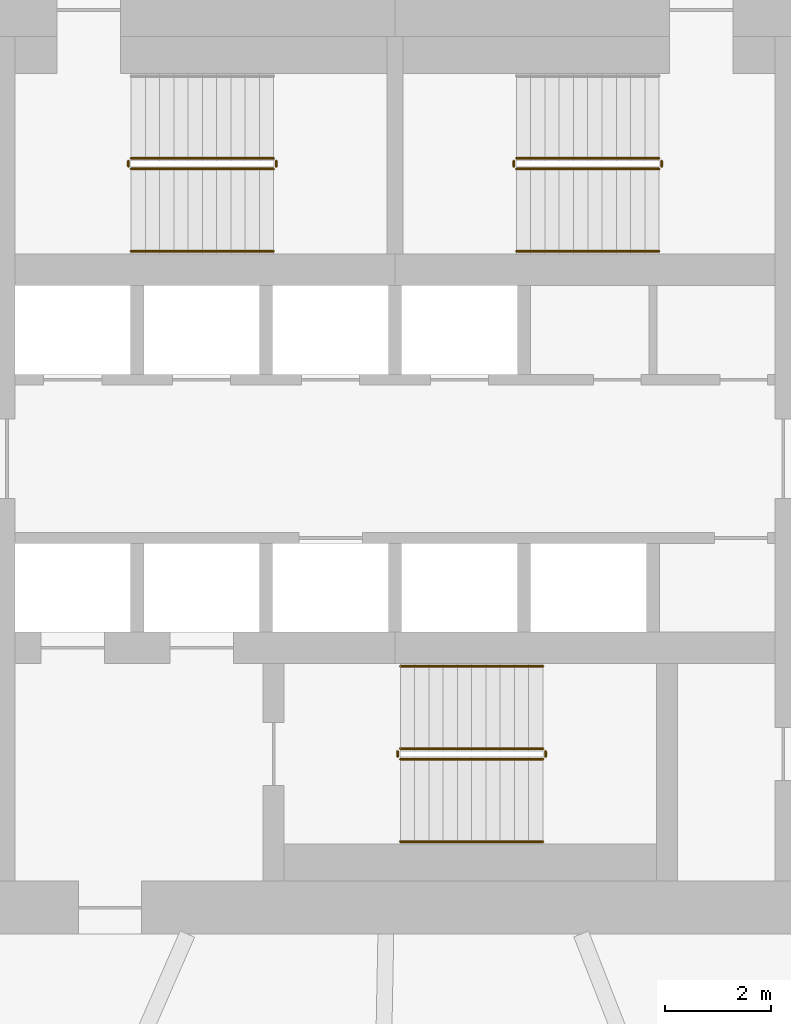
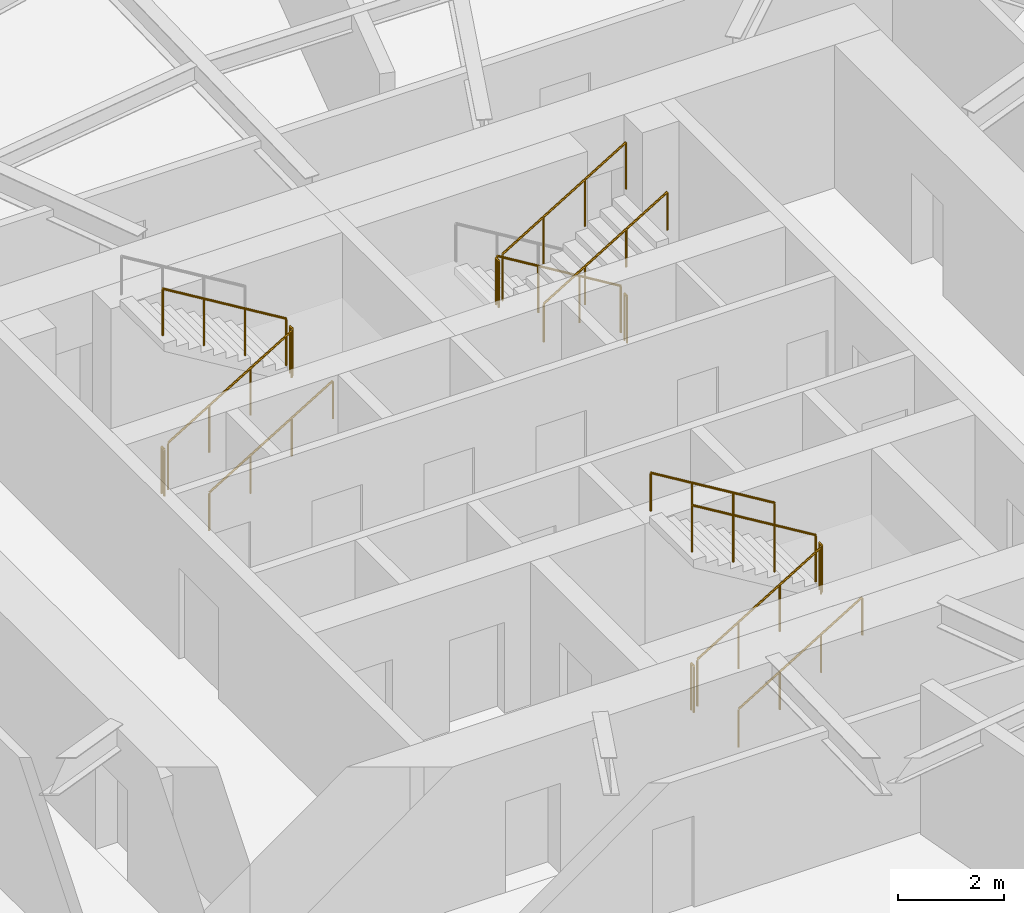
# One storey, part 14 of 16: 16 railings.
"""IFC4 building model written with IfcOpenShell, lengths in metres."""

import ifcopenshell
import ifcopenshell.guid

model = None  # the IFC model being written
_history = None  # IfcOwnerHistory: only IFC2X3 demands one
_inside = {}  # id of a spatial element -> (the spatial element, [elements in it])
_under = {}  # id of a project, library or spatial element -> (it, [spatial elements below it])
_declared = {}  # id of a project -> (the project, [libraries it declares])
_typed = {}  # id of a type object -> (the type object, [elements of that type])
_made_of = {}  # id of a material, layer set ... -> (it, [elements and type objects made of it])


def new_model(schema):
    """Start an empty IFC model of exactly this schema.

    Asked for "IFC4X3", IfcOpenShell would pick the latest addendum, in which some entities
    have other attributes; the version numbers below select the first issue.
    IFC2X3 requires an IfcOwnerHistory on every rooted entity: one is made here for all.
    """
    global model, _history
    if schema == "IFC4X3":
        model = ifcopenshell.file(schema_version=(4, 3, 0, 0))
    else:
        model = ifcopenshell.file(schema=schema)
    _inside.clear()
    _under.clear()
    _declared.clear()
    _typed.clear()
    _made_of.clear()
    _history = None
    if model.schema == "IFC2X3":
        org = make("IfcOrganization", Name="unknown")
        user = make(
            "IfcPersonAndOrganization",
            ThePerson=make("IfcPerson", FamilyName="unknown"),
            TheOrganization=org,
        )
        app = make(
            "IfcApplication",
            ApplicationDeveloper=org,
            Version="unknown",
            ApplicationFullName="unknown",
            ApplicationIdentifier="unknown",
        )
        _history = make(
            "IfcOwnerHistory",
            OwningUser=user,
            OwningApplication=app,
            ChangeAction="ADDED",
            CreationDate=0,
        )
    return model


def make(cls, **values):
    """One entity of the class cls with the attributes given. An attribute that is None is left unset."""
    return model.create_entity(
        cls, **{name: value for name, value in values.items() if value is not None}
    )


def rooted(cls, **values):
    """An entity with a GlobalId (a new one), such as an element, a storey or a relation."""
    return make(cls, GlobalId=ifcopenshell.guid.new(), OwnerHistory=_history, **values)


def si_unit(unit_type, name, prefix=None):
    """IfcSIUnit, for example si_unit("LENGTHUNIT", "METRE", prefix="MILLI")."""
    return make("IfcSIUnit", UnitType=unit_type, Prefix=prefix, Name=name)


def assignment(units):
    """IfcUnitAssignment: the units of a project."""
    return None if units is None else make("IfcUnitAssignment", Units=units)


def point(xyz):
    """IfcCartesianPoint."""
    return None if xyz is None else make("IfcCartesianPoint", Coordinates=xyz)


def direction(xyz):
    """IfcDirection."""
    return None if xyz is None else make("IfcDirection", DirectionRatios=xyz)


def frame(location, z_axis=None, x_axis=None):
    """IfcAxis2Placement3D, a coordinate frame: its origin and axes. An axis left out is left unset."""
    return make(
        "IfcAxis2Placement3D",
        Location=point(location),
        Axis=direction(z_axis),
        RefDirection=direction(x_axis),
    )


def frame_2d(location, x_axis=None):
    """IfcAxis2Placement2D, a coordinate frame in the plane: its origin and x axis."""
    return make(
        "IfcAxis2Placement2D", Location=point(location), RefDirection=direction(x_axis)
    )


def origin():
    """The frame at (0, 0, 0) with its axes left unset."""
    return frame((0.0, 0.0, 0.0))


def origin_2d():
    """The frame at (0, 0) in the plane with its x axis left unset."""
    return frame_2d((0.0, 0.0))


def place(relative_to, where):
    """IfcLocalPlacement: puts the frame where relative to a parent placement (None: the world)."""
    return make(
        "IfcLocalPlacement", PlacementRelTo=relative_to, RelativePlacement=where
    )


def context(
    kind, dimensions, precision=None, world=None, true_north=None, identifier=None
):
    """IfcGeometricRepresentationContext, for example the 3D "Model" context."""
    return make(
        "IfcGeometricRepresentationContext",
        ContextIdentifier=identifier,
        ContextType=kind,
        CoordinateSpaceDimension=dimensions,
        Precision=precision,
        WorldCoordinateSystem=world,
        TrueNorth=true_north,
    )


def subcontext(parent, identifier, kind, view, scale=None):
    """IfcGeometricRepresentationSubContext, for example "Body" below "Model"."""
    return make(
        "IfcGeometricRepresentationSubContext",
        ContextIdentifier=identifier,
        ContextType=kind,
        ParentContext=parent,
        TargetScale=scale,
        TargetView=view,
    )


def project(units=None, contexts=None):
    """IfcProject with its units and contexts."""
    return rooted(
        "IfcProject",
        Name="project",
        RepresentationContexts=contexts,
        UnitsInContext=assignment(units),
    )


def spatial(cls, under=None, at=None, **own):
    """A site, building, storey or space (cls), placed at a placement, below another one or the project."""
    s = rooted(cls, ObjectPlacement=at, **own)
    if under is not None:
        _under.setdefault(under.id(), (under, []))[1].append(s)
    return s


def profile(cls, at=None, kind="AREA", **sizes):
    """A parametric profile (cls). Its sizes go by their IFC names, for example OverallWidth=200.0."""
    return make(cls, ProfileType=kind, Position=at, **sizes)


def circle(**sizes):
    """IfcCircleProfileDef."""
    return profile("IfcCircleProfileDef", **sizes)


def extrude(swept, where, along, depth):
    """IfcExtrudedAreaSolid: the profile swept, set in the frame where, extruded along a direction by depth."""
    return make(
        "IfcExtrudedAreaSolid",
        SweptArea=swept,
        Position=where,
        ExtrudedDirection=direction(along),
        Depth=depth,
    )


def shape(context_of_items, identifier, shape_type, items):
    """IfcShapeRepresentation: the items that make up one representation, for example the "Body"."""
    return make(
        "IfcShapeRepresentation",
        ContextOfItems=context_of_items,
        RepresentationIdentifier=identifier,
        RepresentationType=shape_type,
        Items=items,
    )


def material(Name=None, Category=None):
    """IfcMaterial."""
    return make("IfcMaterial", Name=Name, Category=Category)


def made_of(thing, what):
    """Note that an element or type object is made of a material, layer set ...; save() writes the relation."""
    if what is not None:
        _made_of.setdefault(what.id(), (what, []))[1].append(thing)
    return thing


def type_object(cls, material=None, **own):
    """A type object (cls), such as IfcWallType, which elements share."""
    return made_of(rooted(cls, **own), material)


def element(
    cls,
    number,
    at=None,
    inside=None,
    cuts=None,
    type_object=None,
    material=None,
    context=None,
    identifier="Body",
    shape_type=None,
    held_by="IfcProductDefinitionShape",
    body=None,
    shapes=None,
    **own,
):
    """One element of the class cls, such as IfcWall. Its Tag is "e" and its number.

    at: its placement. inside: the storey or other place that contains it. cuts: it is an
    opening in that element (IfcRelVoidsElement). A single representation is given by context,
    identifier, shape_type and body (its items); several are given by shapes. held_by: the class
    of the entity that holds the representations. save() writes the other relations.
    """
    e = rooted(cls, Tag="e%d" % number, ObjectPlacement=at, **own)
    if body is not None:
        shapes = [shape(context, identifier, shape_type, body)]
    if shapes is not None:
        e.Representation = make(held_by, Representations=shapes)
    if inside is not None:
        _inside.setdefault(inside.id(), (inside, []))[1].append(e)
    if cuts is not None:
        rooted(
            "IfcRelVoidsElement", RelatingBuildingElement=cuts, RelatedOpeningElement=e
        )
    if type_object is not None:
        _typed.setdefault(type_object.id(), (type_object, []))[1].append(e)
    return made_of(e, material)


def aggregate(whole, parts):
    """IfcRelAggregates: a whole, such as a stair, and the parts it consists of."""
    return rooted("IfcRelAggregates", RelatingObject=whole, RelatedObjects=parts)


def save(model, path):
    """Write the relations noted so far, then the file.

    IfcRelAggregates (storeys below a building ...), IfcRelContainedInSpatialStructure (elements
    in a storey), IfcRelDefinesByType, IfcRelAssociatesMaterial and IfcRelDeclares: one each for
    every whole, place, type object, material and project.
    """
    for whole, parts in _under.values():
        aggregate(whole, parts)
    for where, things in _inside.values():
        rooted(
            "IfcRelContainedInSpatialStructure",
            RelatedElements=things,
            RelatingStructure=where,
        )
    for kind, things in _typed.values():
        rooted("IfcRelDefinesByType", RelatedObjects=things, RelatingType=kind)
    for what, things in _made_of.values():
        rooted("IfcRelAssociatesMaterial", RelatedObjects=things, RelatingMaterial=what)
    for by, libraries in _declared.values():
        rooted("IfcRelDeclares", RelatingContext=by, RelatedDefinitions=libraries)
    model.write(path)


model = new_model("IFC4")

# Units and contexts
model_context = context("Model", 3, precision=1e-05, world=origin(), true_north=direction((0.0, 1.0)))
body_context = subcontext(model_context, "Body", "Model", "MODEL_VIEW")
ifc_project = project(units=[si_unit("LENGTHUNIT", "METRE"), si_unit("AREAUNIT", "SQUARE_METRE"), si_unit("VOLUMEUNIT", "CUBIC_METRE"), si_unit("PLANEANGLEUNIT", "RADIAN"), si_unit("MASSUNIT", "GRAM", prefix="KILO")], contexts=[model_context])

# Site, building, storey
site_placement = place(None, origin())
site = spatial("IfcSite", under=ifc_project, at=site_placement, CompositionType="ELEMENT")
building_placement = place(site_placement, origin())
building = spatial("IfcBuilding", under=site, at=building_placement, Name="Vermilion Reach Broadcast Tower", CompositionType="ELEMENT")
storey_placement = place(building_placement, frame((0.0, 0.0, 147.0)))
storey = spatial("IfcBuildingStorey", under=building, at=storey_placement, Name="L34", CompositionType="ELEMENT", Elevation=147.0)

# Railings
ifc_material_1 = material(Name="Stainless steel", Category="steel")
railing_type_1 = type_object("IfcRailingType", Name="Stair guard 1100", PredefinedType="GUARDRAIL", material=ifc_material_1)
railing_1_placement = place(storey_placement, frame((-11.0, 5.489990234375, 0.16357421875)))
element("IfcRailing", 1, at=railing_1_placement, inside=storey, type_object=railing_type_1, Name="L34 ST1 stair guard 1", PredefinedType="GUARDRAIL", context=body_context, shape_type="SweptSolid", body=[
    extrude(circle(Radius=0.02392578125, at=origin_2d()), frame((0.0, 0.0, 1.076171875), z_axis=(0.855178096276, 0.0, 0.518334277904), x_axis=(0.0, 1.0, 0.0)), (0.0, 0.0, 1.0), 3.1572265625),
    extrude(circle(Radius=0.02099609375, at=origin_2d()), origin(), (0.0, 0.0, 1.0), 1.052001953125),
    extrude(circle(Radius=0.02099609375, at=origin_2d()), frame((0.89990234375, 0.0, 0.54541015625)), (0.0, 0.0, 1.0), 1.052001953125),
    extrude(circle(Radius=0.02099609375, at=origin_2d()), frame((1.800048828125, 0.0, 1.091064453125)), (0.0, 0.0, 1.0), 1.052001953125),
    extrude(circle(Radius=0.02099609375, at=origin_2d()), frame((2.699951171875, 0.0, 1.636474609375)), (0.0, 0.0, 1.0), 1.052001953125),
])
railing_2_placement = place(storey_placement, frame((-8.25, 5.5400390625, 1.800048828125)))
element("IfcRailing", 2, at=railing_2_placement, inside=storey, type_object=railing_type_1, Name="L34 ST1 stair guard 2", PredefinedType="GUARDRAIL", context=body_context, shape_type="SweptSolid", body=[
    extrude(circle(Radius=0.02392578125, at=origin_2d()), frame((0.0, 0.0, 1.076171875), z_axis=(0.0, 1.0, 0.0), x_axis=(-1.0, 0.0, 0.0)), (0.0, 0.0, 1.0), 0.099853515625),
    extrude(circle(Radius=0.02099609375, at=origin_2d()), origin(), (0.0, 0.0, 1.0), 1.052001953125),
    extrude(circle(Radius=0.02099609375, at=origin_2d()), frame((0.0, 0.099853515625, 0.0)), (0.0, 0.0, 1.0), 1.052001953125),
])
railing_3_placement = place(storey_placement, frame((-8.300048828125, 5.68994140625, 1.963623046875)))
element("IfcRailing", 3, at=railing_3_placement, inside=storey, type_object=railing_type_1, Name="L34 ST1 stair guard 3", PredefinedType="GUARDRAIL", context=body_context, shape_type="SweptSolid", body=[
    extrude(circle(Radius=0.02392578125, at=origin_2d()), frame((0.0, 0.0, 1.076171875), z_axis=(-0.855178096276, 0.0, 0.518334277904), x_axis=(0.0, -1.0, 0.0)), (0.0, 0.0, 1.0), 3.1572265625),
    extrude(circle(Radius=0.02099609375, at=origin_2d()), origin(), (0.0, 0.0, 1.0), 1.052001953125),
    extrude(circle(Radius=0.02099609375, at=origin_2d()), frame((-0.89990234375, 0.0, 0.54541015625)), (0.0, 0.0, 1.0), 1.052001953125),
    extrude(circle(Radius=0.02099609375, at=origin_2d()), frame((-1.800048828125, 0.0, 1.091064453125)), (0.0, 0.0, 1.0), 1.052001953125),
    extrude(circle(Radius=0.02099609375, at=origin_2d()), frame((-2.699951171875, 0.0, 1.636474609375)), (0.0, 0.0, 1.0), 1.052001953125),
])
railing_4_placement = place(storey_placement, frame((-11.050048828125, 5.5400390625, 0.0)))
element("IfcRailing", 4, at=railing_4_placement, inside=storey, type_object=railing_type_1, Name="L34 ST1 stair guard 4", PredefinedType="GUARDRAIL", context=body_context, shape_type="SweptSolid", body=[
    extrude(circle(Radius=0.02392578125, at=origin_2d()), frame((0.0, 0.0, 1.076171875), z_axis=(0.0, 1.0, 0.0), x_axis=(-1.0, 0.0, 0.0)), (0.0, 0.0, 1.0), 0.099853515625),
    extrude(circle(Radius=0.02099609375, at=origin_2d()), origin(), (0.0, 0.0, 1.0), 1.052001953125),
    extrude(circle(Radius=0.02099609375, at=origin_2d()), frame((0.0, 0.099853515625, 0.0)), (0.0, 0.0, 1.0), 1.052001953125),
])
railing_5_placement = place(storey_placement, frame((-1.0, 5.68994140625, 0.16357421875)))
element("IfcRailing", 5, at=railing_5_placement, inside=storey, type_object=railing_type_1, Name="L34 ST2 stair guard 1", PredefinedType="GUARDRAIL", context=body_context, shape_type="SweptSolid", body=[
    extrude(circle(Radius=0.02392578125, at=origin_2d()), frame((0.0, 0.0, 1.076171875), z_axis=(-0.855178096276, 0.0, 0.518334277904), x_axis=(0.0, -1.0, 0.0)), (0.0, 0.0, 1.0), 3.1572265625),
    extrude(circle(Radius=0.02099609375, at=origin_2d()), origin(), (0.0, 0.0, 1.0), 1.052001953125),
    extrude(circle(Radius=0.02099609375, at=origin_2d()), frame((-0.89990234375, 0.0, 0.54541015625)), (0.0, 0.0, 1.0), 1.052001953125),
    extrude(circle(Radius=0.02099609375, at=origin_2d()), frame((-1.800048828125, 0.0, 1.091064453125)), (0.0, 0.0, 1.0), 1.052001953125),
    extrude(circle(Radius=0.02099609375, at=origin_2d()), frame((-2.699951171875, 0.0, 1.636474609375)), (0.0, 0.0, 1.0), 1.052001953125),
])
railing_6_placement = place(storey_placement, frame((-3.75, 5.639892578125, 1.800048828125)))
element("IfcRailing", 6, at=railing_6_placement, inside=storey, type_object=railing_type_1, Name="L34 ST2 stair guard 2", PredefinedType="GUARDRAIL", context=body_context, shape_type="SweptSolid", body=[
    extrude(circle(Radius=0.02392578125, at=origin_2d()), frame((0.0, 0.0, 1.076171875), z_axis=(0.0, -1.0, 0.0), x_axis=(1.0, 0.0, 0.0)), (0.0, 0.0, 1.0), 0.099853515625),
    extrude(circle(Radius=0.02099609375, at=origin_2d()), origin(), (0.0, 0.0, 1.0), 1.052001953125),
    extrude(circle(Radius=0.02099609375, at=origin_2d()), frame((0.0, -0.099853515625, 0.0)), (0.0, 0.0, 1.0), 1.052001953125),
])
railing_7_placement = place(storey_placement, frame((-3.699951171875, 5.489990234375, 1.963623046875)))
element("IfcRailing", 7, at=railing_7_placement, inside=storey, type_object=railing_type_1, Name="L34 ST2 stair guard 3", PredefinedType="GUARDRAIL", context=body_context, shape_type="SweptSolid", body=[
    extrude(circle(Radius=0.02392578125, at=origin_2d()), frame((0.0, 0.0, 1.076171875), z_axis=(0.855178096276, 0.0, 0.518334277904), x_axis=(0.0, 1.0, 0.0)), (0.0, 0.0, 1.0), 3.1572265625),
    extrude(circle(Radius=0.02099609375, at=origin_2d()), origin(), (0.0, 0.0, 1.0), 1.052001953125),
    extrude(circle(Radius=0.02099609375, at=origin_2d()), frame((0.89990234375, 0.0, 0.54541015625)), (0.0, 0.0, 1.0), 1.052001953125),
    extrude(circle(Radius=0.02099609375, at=origin_2d()), frame((1.800048828125, 0.0, 1.091064453125)), (0.0, 0.0, 1.0), 1.052001953125),
    extrude(circle(Radius=0.02099609375, at=origin_2d()), frame((2.699951171875, 0.0, 1.636474609375)), (0.0, 0.0, 1.0), 1.052001953125),
])
railing_8_placement = place(storey_placement, frame((-0.949951171875, 5.639892578125, 0.0)))
element("IfcRailing", 8, at=railing_8_placement, inside=storey, type_object=railing_type_1, Name="L34 ST2 stair guard 4", PredefinedType="GUARDRAIL", context=body_context, shape_type="SweptSolid", body=[
    extrude(circle(Radius=0.02392578125, at=origin_2d()), frame((0.0, 0.0, 1.076171875), z_axis=(0.0, -1.0, 0.0), x_axis=(1.0, 0.0, 0.0)), (0.0, 0.0, 1.0), 0.099853515625),
    extrude(circle(Radius=0.02099609375, at=origin_2d()), origin(), (0.0, 0.0, 1.0), 1.052001953125),
    extrude(circle(Radius=0.02099609375, at=origin_2d()), frame((0.0, -0.099853515625, 0.0)), (0.0, 0.0, 1.0), 1.052001953125),
])
railing_9_placement = place(storey_placement, frame((-5.89990234375, -5.68994140625, 0.16357421875)))
element("IfcRailing", 9, at=railing_9_placement, inside=storey, type_object=railing_type_1, Name="L34 ST3 stair guard 1", PredefinedType="GUARDRAIL", context=body_context, shape_type="SweptSolid", body=[
    extrude(circle(Radius=0.02392578125, at=origin_2d()), frame((0.0, 0.0, 1.076171875), z_axis=(0.855178096276, 0.0, 0.518334277904), x_axis=(0.0, 1.0, 0.0)), (0.0, 0.0, 1.0), 3.1572265625),
    extrude(circle(Radius=0.02099609375, at=origin_2d()), origin(), (0.0, 0.0, 1.0), 1.052001953125),
    extrude(circle(Radius=0.02099609375, at=origin_2d()), frame((0.89990234375, 0.0, 0.54541015625)), (0.0, 0.0, 1.0), 1.052001953125),
    extrude(circle(Radius=0.02099609375, at=origin_2d()), frame((1.800048828125, 0.0, 1.091064453125)), (0.0, 0.0, 1.0), 1.052001953125),
    extrude(circle(Radius=0.02099609375, at=origin_2d()), frame((2.699951171875, 0.0, 1.636474609375)), (0.0, 0.0, 1.0), 1.052001953125),
])
railing_10_placement = place(storey_placement, frame((-3.14990234375, -5.639892578125, 1.800048828125)))
element("IfcRailing", 10, at=railing_10_placement, inside=storey, type_object=railing_type_1, Name="L34 ST3 stair guard 2", PredefinedType="GUARDRAIL", context=body_context, shape_type="SweptSolid", body=[
    extrude(circle(Radius=0.02392578125, at=origin_2d()), frame((0.0, 0.0, 1.076171875), z_axis=(0.0, 1.0, 0.0), x_axis=(-1.0, 0.0, 0.0)), (0.0, 0.0, 1.0), 0.099853515625),
    extrude(circle(Radius=0.02099609375, at=origin_2d()), origin(), (0.0, 0.0, 1.0), 1.052001953125),
    extrude(circle(Radius=0.02099609375, at=origin_2d()), frame((0.0, 0.099853515625, 0.0)), (0.0, 0.0, 1.0), 1.052001953125),
])
railing_11_placement = place(storey_placement, frame((-3.199951171875, -5.489990234375, 1.963623046875)))
element("IfcRailing", 11, at=railing_11_placement, inside=storey, type_object=railing_type_1, Name="L34 ST3 stair guard 3", PredefinedType="GUARDRAIL", context=body_context, shape_type="SweptSolid", body=[
    extrude(circle(Radius=0.02392578125, at=origin_2d()), frame((0.0, 0.0, 1.076171875), z_axis=(-0.855178096276, 0.0, 0.518334277904), x_axis=(0.0, -1.0, 0.0)), (0.0, 0.0, 1.0), 3.1572265625),
    extrude(circle(Radius=0.02099609375, at=origin_2d()), origin(), (0.0, 0.0, 1.0), 1.052001953125),
    extrude(circle(Radius=0.02099609375, at=origin_2d()), frame((-0.89990234375, 0.0, 0.54541015625)), (0.0, 0.0, 1.0), 1.052001953125),
    extrude(circle(Radius=0.02099609375, at=origin_2d()), frame((-1.800048828125, 0.0, 1.091064453125)), (0.0, 0.0, 1.0), 1.052001953125),
    extrude(circle(Radius=0.02099609375, at=origin_2d()), frame((-2.699951171875, 0.0, 1.636474609375)), (0.0, 0.0, 1.0), 1.052001953125),
])
railing_12_placement = place(storey_placement, frame((-5.949951171875, -5.639892578125, 0.0)))
element("IfcRailing", 12, at=railing_12_placement, inside=storey, type_object=railing_type_1, Name="L34 ST3 stair guard 4", PredefinedType="GUARDRAIL", context=body_context, shape_type="SweptSolid", body=[
    extrude(circle(Radius=0.02392578125, at=origin_2d()), frame((0.0, 0.0, 1.076171875), z_axis=(0.0, 1.0, 0.0), x_axis=(-1.0, 0.0, 0.0)), (0.0, 0.0, 1.0), 0.099853515625),
    extrude(circle(Radius=0.02099609375, at=origin_2d()), origin(), (0.0, 0.0, 1.0), 1.052001953125),
    extrude(circle(Radius=0.02099609375, at=origin_2d()), frame((0.0, 0.099853515625, 0.0)), (0.0, 0.0, 1.0), 1.052001953125),
])
ifc_material_2 = material(Name="Stainless steel", Category="steel")
railing_type_2 = type_object("IfcRailingType", Name="Stair handrail", PredefinedType="HANDRAIL", material=ifc_material_2)
for number, where, name in (
    (13, (-11.0, 3.929931640625, 0.16357421875), "L34 ST1 stair handrail 1"),
    (14, (-3.699951171875, 3.929931640625, 1.963623046875), "L34 ST2 stair handrail 2"),
    (15, (-5.89990234375, -7.25, 0.16357421875), "L34 ST3 stair handrail 1"),
):
    element("IfcRailing", number, at=place(storey_placement, frame(where)), inside=storey, type_object=railing_type_2, Name=name, PredefinedType="HANDRAIL", context=body_context, shape_type="SweptSolid", body=[
        extrude(circle(Radius=0.02392578125, at=origin_2d()), frame((0.0, 0.0, 0.8759765625), z_axis=(0.855178096276, 0.0, 0.518334277904), x_axis=(0.0, 1.0, 0.0)), (0.0, 0.0, 1.0), 3.1572265625),
        extrude(circle(Radius=0.02099609375, at=origin_2d()), origin(), (0.0, 0.0, 1.0), 0.851806640625),
        extrude(circle(Radius=0.02099609375, at=origin_2d()), frame((0.89990234375, 0.0, 0.54541015625)), (0.0, 0.0, 1.0), 0.851806640625),
        extrude(circle(Radius=0.02099609375, at=origin_2d()), frame((1.800048828125, 0.0, 1.091064453125)), (0.0, 0.0, 1.0), 0.851806640625),
        extrude(circle(Radius=0.02099609375, at=origin_2d()), frame((2.699951171875, 0.0, 1.636474609375)), (0.0, 0.0, 1.0), 0.851806640625),
    ])
railing_13_placement = place(storey_placement, frame((-3.199951171875, -3.929931640625, 1.963623046875)))
element("IfcRailing", 16, at=railing_13_placement, inside=storey, type_object=railing_type_2, Name="L34 ST3 stair handrail 2", PredefinedType="HANDRAIL", context=body_context, shape_type="SweptSolid", body=[
    extrude(circle(Radius=0.02392578125, at=origin_2d()), frame((0.0, 0.0, 0.8759765625), z_axis=(-0.855178096276, 0.0, 0.518334277904), x_axis=(0.0, -1.0, 0.0)), (0.0, 0.0, 1.0), 3.1572265625),
    extrude(circle(Radius=0.02099609375, at=origin_2d()), origin(), (0.0, 0.0, 1.0), 0.851806640625),
    extrude(circle(Radius=0.02099609375, at=origin_2d()), frame((-0.89990234375, 0.0, 0.54541015625)), (0.0, 0.0, 1.0), 0.851806640625),
    extrude(circle(Radius=0.02099609375, at=origin_2d()), frame((-1.800048828125, 0.0, 1.091064453125)), (0.0, 0.0, 1.0), 0.851806640625),
    extrude(circle(Radius=0.02099609375, at=origin_2d()), frame((-2.699951171875, 0.0, 1.636474609375)), (0.0, 0.0, 1.0), 0.851806640625),
])

save(model, "model.ifc")
